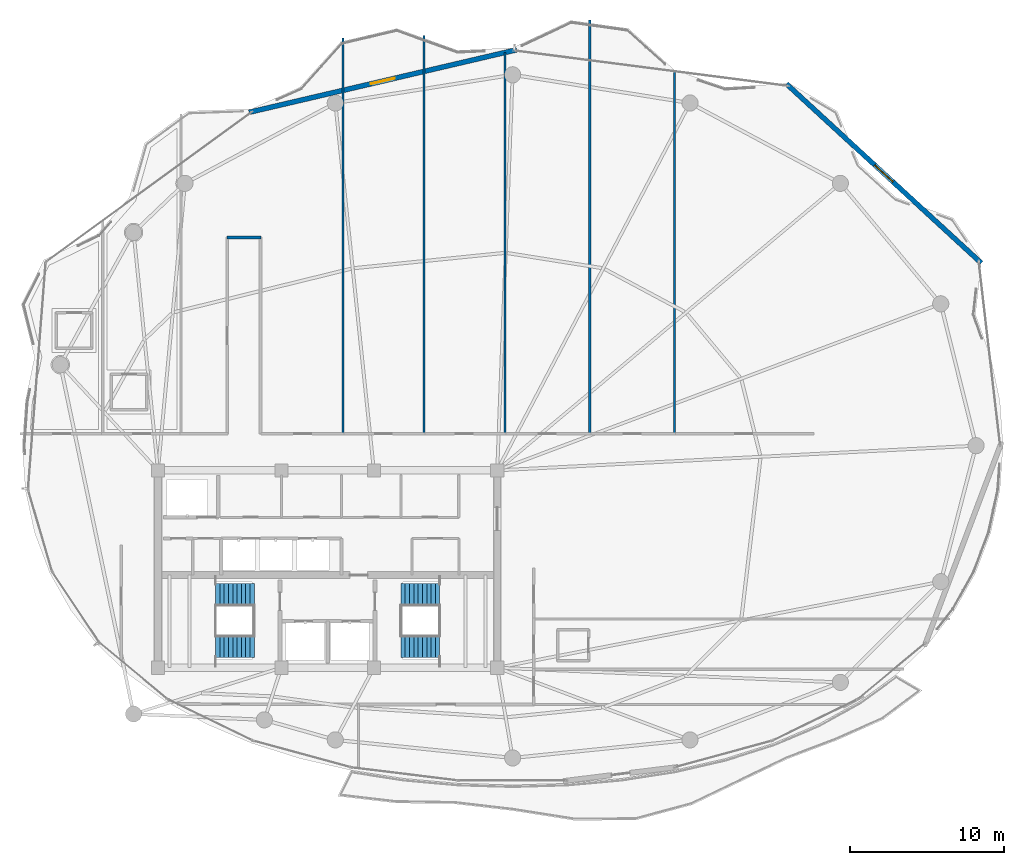
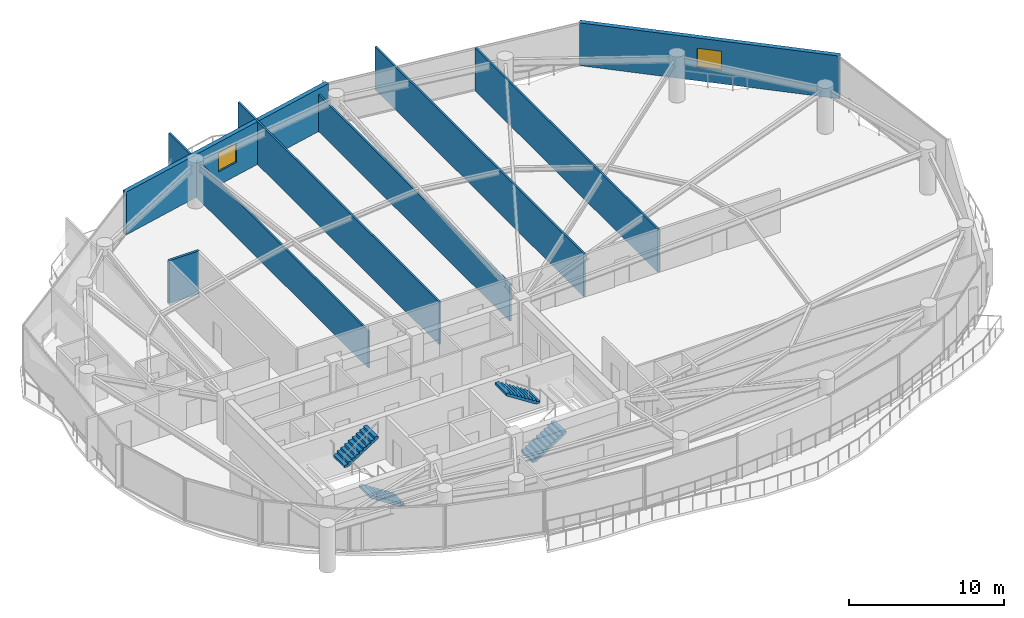
# One storey, part 27 of 31: 8 walls, 4 stair flights, 2 windows, 2 openings, 2 elements without a shape of their own.
"""IFC4 building model written with IfcOpenShell, lengths in metres."""

from ifc_helpers import new_model, si_unit, direction, frame, frame_2d, origin, place, context, subcontext, project, spatial, polyline, rectangle, outline, extrude, material, layer, layer_set, type_object, element, fill, aggregate, save


model = new_model("IFC4")

# Units and contexts
model_context = context("Model", 3, precision=1e-05, world=origin(), true_north=direction((0.0, 1.0)))
body_context = subcontext(model_context, "Body", "Model", "MODEL_VIEW")
ifc_project = project(units=[si_unit("LENGTHUNIT", "METRE"), si_unit("AREAUNIT", "SQUARE_METRE"), si_unit("VOLUMEUNIT", "CUBIC_METRE"), si_unit("PLANEANGLEUNIT", "RADIAN"), si_unit("MASSUNIT", "GRAM", prefix="KILO")], contexts=[model_context])

# Site, building, storey
site_placement = place(None, origin())
site = spatial("IfcSite", under=ifc_project, at=site_placement, CompositionType="ELEMENT")
building_placement = place(site_placement, origin())
building = spatial("IfcBuilding", under=site, at=building_placement, Name="Kazevale Care Tower and Concert Hall", CompositionType="ELEMENT")
storey_placement = place(building_placement, frame((0.0, 0.0, 217.199951171875)))
storey = spatial("IfcBuildingStorey", under=building, at=storey_placement, Name="L57", CompositionType="ELEMENT", Elevation=217.199951171875)

# Walls
ifc_material_1 = material(Name="Acoustic Gypsum on Steel Stud", Category="steel")
ifc_layer_1 = layer(ifc_material_1, 0.139892578125)
ifc_layer_set_1 = layer_set([ifc_layer_1], Name="Acoustic Gypsum on Steel Stud")
wall_type_1 = type_object("IfcWallType", Name="Acoustic Care & Suite Partition 140", PredefinedType="PARTITIONING", material=ifc_layer_set_1)
wall_1_placement = place(storey_placement, frame((34.0, 64.423095703125, 0.0), z_axis=(0.0, 0.0, 1.0), x_axis=(0.0, -1.0, 0.0)))
element("IfcWall", 1, at=wall_1_placement, inside=storey, type_object=wall_type_1, Name="wall:L57:auto_022", PredefinedType="PARTITIONING", context=body_context, shape_type="SweptSolid", body=[
    extrude(rectangle(XDim=25.677978515625, YDim=0.139892578125, at=frame_2d((12.8388671875, 0.0))), origin(), (0.0, 0.0, 1.0), 2.89013671875),
])
wall_2_placement = place(storey_placement, frame((39.25, 64.612060546875, 0.0), z_axis=(0.0, 0.0, 1.0), x_axis=(0.0, -1.0, 0.0)))
element("IfcWall", 2, at=wall_2_placement, inside=storey, type_object=wall_type_1, Name="wall:L57:auto_023", PredefinedType="PARTITIONING", context=body_context, shape_type="SweptSolid", body=[
    extrude(rectangle(XDim=25.866943359375, YDim=0.139892578125, at=frame_2d((12.93359375, 0.0))), origin(), (0.0, 0.0, 1.0), 3.360107421875),
])
wall_3_placement = place(storey_placement, frame((44.5, 63.48486328125, 0.0), z_axis=(0.0, 0.0, 1.0), x_axis=(0.0, -1.0, 0.0)))
element("IfcWall", 3, at=wall_3_placement, inside=storey, type_object=wall_type_1, Name="wall:L57:auto_024", PredefinedType="PARTITIONING", context=body_context, shape_type="SweptSolid", body=[
    extrude(rectangle(XDim=24.73974609375, YDim=0.139892578125, at=frame_2d((12.369873046875, 0.0))), origin(), (0.0, 0.0, 1.0), 2.89013671875),
])
wall_4_placement = place(storey_placement, frame((50.0, 65.60302734375, 0.0), z_axis=(0.0, 0.0, 1.0), x_axis=(0.0, -1.0, 0.0)))
element("IfcWall", 4, at=wall_4_placement, inside=storey, type_object=wall_type_1, Name="wall:L57:auto_025", PredefinedType="PARTITIONING", context=body_context, shape_type="SweptSolid", body=[
    extrude(rectangle(XDim=26.85791015625, YDim=0.139892578125, at=frame_2d((13.428955078125, 0.0))), origin(), (0.0, 0.0, 1.0), 3.360107421875),
])
wall_5_placement = place(storey_placement, frame((55.5, 62.261474609375, 0.0), z_axis=(0.0, 0.0, 1.0), x_axis=(0.0, -1.0, 0.0)))
element("IfcWall", 5, at=wall_5_placement, inside=storey, type_object=wall_type_1, Name="wall:L57:auto_026", PredefinedType="PARTITIONING", context=body_context, shape_type="SweptSolid", body=[
    extrude(rectangle(XDim=23.516357421875, YDim=0.139892578125, at=frame_2d((11.75830078125, 0.0))), origin(), (0.0, 0.0, 1.0), 3.360107421875),
])
ifc_material_2 = material(Name="Concrete C40 and Acoustic Gypsum", Category="concrete")
ifc_layer_2 = layer(ifc_material_2, 0.179931640625)
ifc_layer_set_2 = layer_set([ifc_layer_2], Name="Concrete C40 and Acoustic Gypsum")
wall_type_2 = type_object("IfcWallType", Name="Fire-Rated Corridor & Party Wall 180", PredefinedType="PARTITIONING", material=ifc_layer_set_2)
wall_6_placement = place(storey_placement, frame((26.469970703125, 51.5, 0.0), z_axis=(0.0, 0.0, 1.0), x_axis=(1.0, 0.0, 0.0)))
element("IfcWall", 6, at=wall_6_placement, inside=storey, type_object=wall_type_2, Name="wall:L57:auto_006", PredefinedType="PARTITIONING", context=body_context, shape_type="SweptSolid", body=[
    extrude(rectangle(XDim=2.2099609375, YDim=0.179931640625, at=frame_2d((1.10498046875, 0.0))), origin(), (0.0, 0.0, 1.0), 3.360107421875),
])

# Wall, opening, window
ifc_material_3 = material(Name="Concrete C40 with Honed Limestone Cladding", Category="masonry")
ifc_layer_3 = layer(ifc_material_3, 0.320068359375)
ifc_layer_set_3 = layer_set([ifc_layer_3], Name="Concrete C40 with Honed Limestone Cladding")
wall_type_3 = type_object("IfcWallType", Name="Tower Honed Limestone Spandrel Wall 320", PredefinedType="STANDARD", material=ifc_layer_set_3)
wall_7_placement = place(storey_placement, frame((27.908935546875, 59.616943359375, 0.0), z_axis=(0.0, 0.0, 1.0), x_axis=(0.973753606594, 0.227604731158, 0.0)))
wall_7 = element("IfcWall", 7, at=wall_7_placement, inside=storey, type_object=wall_type_3, Name="wall:L57:cbox:15", PredefinedType="STANDARD", context=body_context, shape_type="SweptSolid", body=[
    extrude(rectangle(XDim=17.816650390625, YDim=0.320068359375, at=frame_2d((8.908203125, 0.0))), origin(), (0.0, 0.0, 1.0), 3.360107421875),
])
opening_1_placement = place(wall_7_placement, frame((8.10888671875, 0.0, 1.050048828125)))
opening_1 = element("IfcOpeningElement", 8, at=opening_1_placement, cuts=wall_7, Name="Opening WIN-1", PredefinedType="OPENING", context=body_context, shape_type="SweptSolid", body=[
    extrude(rectangle(XDim=1.60009765625, YDim=1.5, at=frame_2d((0.800048828125, 0.75))), frame((0.0, 0.169921875, 0.0), z_axis=(0.0, -1.0, 0.0), x_axis=(1.0, 0.0, 0.0)), (0.0, 0.0, 1.0), 0.340087890625),
])
ifc_material_4 = material(Name="Low-E Laminated Glass", Category="glass")
window_type = type_object("IfcWindowType", Name="Convex Box Deep-Set Window 1600x1500", PartitioningType="DOUBLE_PANEL_VERTICAL", PredefinedType="WINDOW", material=ifc_material_4)
window_1_placement = place(opening_1_placement, origin())
window_1 = element("IfcWindow", 9, at=window_1_placement, inside=storey, type_object=window_type, Name="win:L57:cbox:15", OverallHeight=1.5, OverallWidth=1.60009765625, PartitioningType="SINGLE_PANEL", PredefinedType="WINDOW", context=body_context, shape_type="SweptSolid", body=[
    extrude(rectangle(XDim=1.60009765625, YDim=1.5, at=frame_2d((0.800048828125, 0.75))), frame((0.0, 0.030029296875, 0.0), z_axis=(0.0, -1.0, 0.0), x_axis=(1.0, 0.0, 0.0)), (0.0, 0.0, 1.0), 0.06005859375),
])
fill(opening_1, window_1)

wall_8_placement = place(storey_placement, frame((62.7509765625, 61.462890625, 0.0), z_axis=(0.0, 0.0, 1.0), x_axis=(0.736063690764, -0.676912286149, 0.0)))
wall_8 = element("IfcWall", 10, at=wall_8_placement, inside=storey, type_object=wall_type_3, Name="wall:L57:cbox:17", PredefinedType="STANDARD", context=body_context, shape_type="SweptSolid", body=[
    extrude(rectangle(XDim=17.16162109375, YDim=0.320068359375, at=frame_2d((8.580810546875, 0.0))), origin(), (0.0, 0.0, 1.0), 3.360107421875),
])
opening_2_placement = place(wall_8_placement, frame((7.781005859375, 0.0, 1.050048828125)))
opening_2 = element("IfcOpeningElement", 11, at=opening_2_placement, cuts=wall_8, Name="Opening WIN-1", PredefinedType="OPENING", context=body_context, shape_type="SweptSolid", body=[
    extrude(rectangle(XDim=1.60009765625, YDim=1.5, at=frame_2d((0.800048828125, 0.75))), frame((0.0, 0.169921875, 0.0), z_axis=(0.0, -1.0, 0.0), x_axis=(1.0, 0.0, 0.0)), (0.0, 0.0, 1.0), 0.340087890625),
])
window_2_placement = place(opening_2_placement, origin())
window_2 = element("IfcWindow", 12, at=window_2_placement, inside=storey, type_object=window_type, Name="win:L57:cbox:17", OverallHeight=1.5, OverallWidth=1.60009765625, PartitioningType="SINGLE_PANEL", PredefinedType="WINDOW", context=body_context, shape_type="SweptSolid", body=[
    extrude(rectangle(XDim=1.60009765625, YDim=1.5, at=frame_2d((0.800048828125, 0.75))), frame((0.0, 0.030029296875, 0.0), z_axis=(0.0, -1.0, 0.0), x_axis=(1.0, 0.0, 0.0)), (0.0, 0.0, 1.0), 0.06005859375),
])
fill(opening_2, window_2)

# Stair, stair flights
ifc_material_5 = material(Name="Concrete C40", Category="concrete")
stair_type = type_object("IfcStairType", Name="Exit Stair Assembly ST1-Z3", PredefinedType="HALF_TURN_STAIR", material=ifc_material_5)
stair_1_placement = place(storey_placement, origin())
stair_1 = element("IfcStair", 13, at=stair_1_placement, inside=storey, type_object=stair_type, Name="stair:L57:ST1", PredefinedType="HALF_TURN_STAIR")
ifc_layer_4 = layer(ifc_material_5, 0.159912109375)
ifc_layer_set_4 = layer_set([ifc_layer_4], Name="Concrete C40")
stair_flight_type = type_object("IfcStairFlightType", Name="Exit Stair Flight ST1-Z3", PredefinedType="STRAIGHT", material=ifc_layer_set_4)
stair_flight_1_placement = place(storey_placement, frame((28.25, 24.97509765625, 0.0), z_axis=(0.0, 0.0, 1.0), x_axis=(-1.0, 0.0, 0.0)))
stair_flight_1 = element("IfcStairFlight", 14, at=stair_flight_1_placement, type_object=stair_flight_type, Name="ST1-Z3 flight 1", NumberOfRisers=10, NumberOfTreads=9, PredefinedType="STRAIGHT", RiserHeight=0.18, TreadLength=0.28, context=body_context, shape_type="SweptSolid", body=[
    extrude(outline(polyline([(0.0, 0.0), (0.0, 0.179931640625), (0.280029296875, 0.179931640625), (0.280029296875, 0.360107421875), (0.56005859375, 0.360107421875), (0.56005859375, 0.5400390625), (0.840087890625, 0.5400390625), (0.840087890625, 0.719970703125), (1.1201171875, 0.719970703125), (1.1201171875, 0.89990234375), (1.39990234375, 0.89990234375), (1.39990234375, 1.080078125), (1.679931640625, 1.080078125), (1.679931640625, 1.260009765625), (1.9599609375, 1.260009765625), (1.9599609375, 1.43994140625), (2.239990234375, 1.43994140625), (2.239990234375, 1.6201171875), (2.52001953125, 1.6201171875), (2.52001953125, 1.800048828125), (2.52001953125, 1.429931640625), (0.295654296875, 0.0), (0.0, 0.0)])), frame((0.0, 0.72509765625, 0.0), z_axis=(0.0, -1.0, 0.0), x_axis=(1.0, 0.0, 0.0)), (0.0, 0.0, 1.0), 1.449951171875),
])
stair_flight_2_placement = place(storey_placement, frame((25.72998046875, 28.324951171875, 1.800048828125), z_axis=(0.0, 0.0, 1.0), x_axis=(1.0, 0.0, 0.0)))
stair_flight_2 = element("IfcStairFlight", 15, at=stair_flight_2_placement, type_object=stair_flight_type, Name="ST1-Z3 flight 2", NumberOfRisers=10, NumberOfTreads=9, PredefinedType="STRAIGHT", RiserHeight=0.18, TreadLength=0.28, context=body_context, shape_type="SweptSolid", body=[
    extrude(outline(polyline([(0.0, 0.0), (0.0, 0.179931640625), (0.280029296875, 0.179931640625), (0.280029296875, 0.360107421875), (0.56005859375, 0.360107421875), (0.56005859375, 0.5400390625), (0.840087890625, 0.5400390625), (0.840087890625, 0.719970703125), (1.1201171875, 0.719970703125), (1.1201171875, 0.89990234375), (1.39990234375, 0.89990234375), (1.39990234375, 1.080078125), (1.679931640625, 1.080078125), (1.679931640625, 1.260009765625), (1.9599609375, 1.260009765625), (1.9599609375, 1.43994140625), (2.239990234375, 1.43994140625), (2.239990234375, 1.6201171875), (2.52001953125, 1.6201171875), (2.52001953125, 1.800048828125), (2.52001953125, 1.429931640625), (0.295654296875, 0.0), (0.0, 0.0)])), frame((0.0, 0.72509765625, 0.0), z_axis=(0.0, -1.0, 0.0), x_axis=(1.0, 0.0, 0.0)), (0.0, 0.0, 1.0), 1.449951171875),
])
aggregate(stair_1, [stair_flight_1, stair_flight_2])

stair_2_placement = place(storey_placement, origin())
stair_2 = element("IfcStair", 16, at=stair_2_placement, inside=storey, type_object=stair_type, Name="stair:L57:ST2", PredefinedType="HALF_TURN_STAIR")
stair_flight_3_placement = place(storey_placement, frame((37.75, 24.97509765625, 0.0), z_axis=(0.0, 0.0, 1.0), x_axis=(1.0, 0.0, 0.0)))
stair_flight_3 = element("IfcStairFlight", 17, at=stair_flight_3_placement, type_object=stair_flight_type, Name="ST1-Z3 flight 1", NumberOfRisers=10, NumberOfTreads=9, PredefinedType="STRAIGHT", RiserHeight=0.18, TreadLength=0.28, context=body_context, shape_type="SweptSolid", body=[
    extrude(outline(polyline([(0.0, 0.0), (0.0, 0.179931640625), (0.280029296875, 0.179931640625), (0.280029296875, 0.360107421875), (0.56005859375, 0.360107421875), (0.56005859375, 0.5400390625), (0.840087890625, 0.5400390625), (0.840087890625, 0.719970703125), (1.1201171875, 0.719970703125), (1.1201171875, 0.89990234375), (1.39990234375, 0.89990234375), (1.39990234375, 1.080078125), (1.679931640625, 1.080078125), (1.679931640625, 1.260009765625), (1.9599609375, 1.260009765625), (1.9599609375, 1.43994140625), (2.239990234375, 1.43994140625), (2.239990234375, 1.6201171875), (2.52001953125, 1.6201171875), (2.52001953125, 1.800048828125), (2.52001953125, 1.429931640625), (0.295654296875, 0.0), (0.0, 0.0)])), frame((0.0, 0.72509765625, 0.0), z_axis=(0.0, -1.0, 0.0), x_axis=(1.0, 0.0, 0.0)), (0.0, 0.0, 1.0), 1.449951171875),
])
stair_flight_4_placement = place(storey_placement, frame((40.27001953125, 28.324951171875, 1.800048828125), z_axis=(0.0, 0.0, 1.0), x_axis=(-1.0, 0.0, 0.0)))
stair_flight_4 = element("IfcStairFlight", 18, at=stair_flight_4_placement, type_object=stair_flight_type, Name="ST1-Z3 flight 2", NumberOfRisers=10, NumberOfTreads=9, PredefinedType="STRAIGHT", RiserHeight=0.18, TreadLength=0.28, context=body_context, shape_type="SweptSolid", body=[
    extrude(outline(polyline([(0.0, 0.0), (0.0, 0.179931640625), (0.280029296875, 0.179931640625), (0.280029296875, 0.360107421875), (0.56005859375, 0.360107421875), (0.56005859375, 0.5400390625), (0.840087890625, 0.5400390625), (0.840087890625, 0.719970703125), (1.1201171875, 0.719970703125), (1.1201171875, 0.89990234375), (1.39990234375, 0.89990234375), (1.39990234375, 1.080078125), (1.679931640625, 1.080078125), (1.679931640625, 1.260009765625), (1.9599609375, 1.260009765625), (1.9599609375, 1.43994140625), (2.239990234375, 1.43994140625), (2.239990234375, 1.6201171875), (2.52001953125, 1.6201171875), (2.52001953125, 1.800048828125), (2.52001953125, 1.429931640625), (0.295654296875, 0.0), (0.0, 0.0)])), frame((0.0, 0.72509765625, 0.0), z_axis=(0.0, -1.0, 0.0), x_axis=(1.0, 0.0, 0.0)), (0.0, 0.0, 1.0), 1.449951171875),
])
aggregate(stair_2, [stair_flight_3, stair_flight_4])

save(model, "model.ifc")
